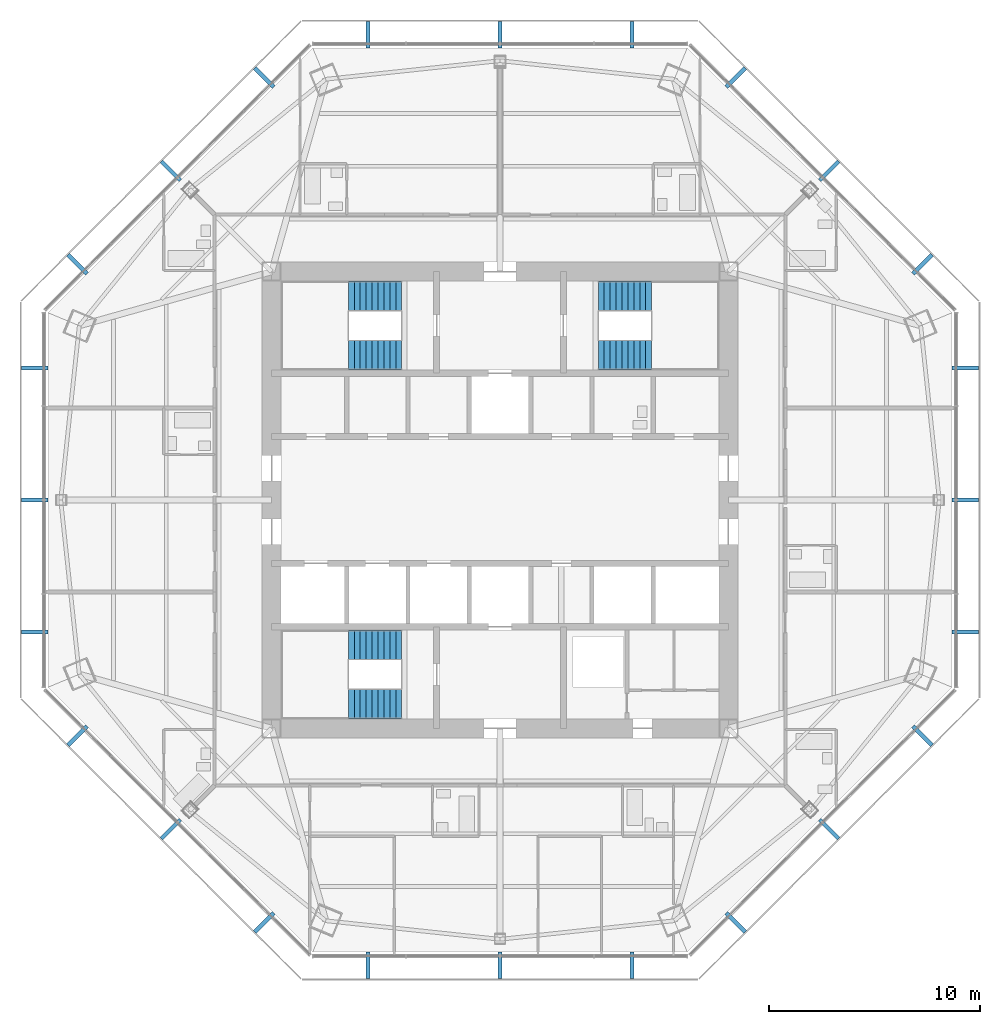
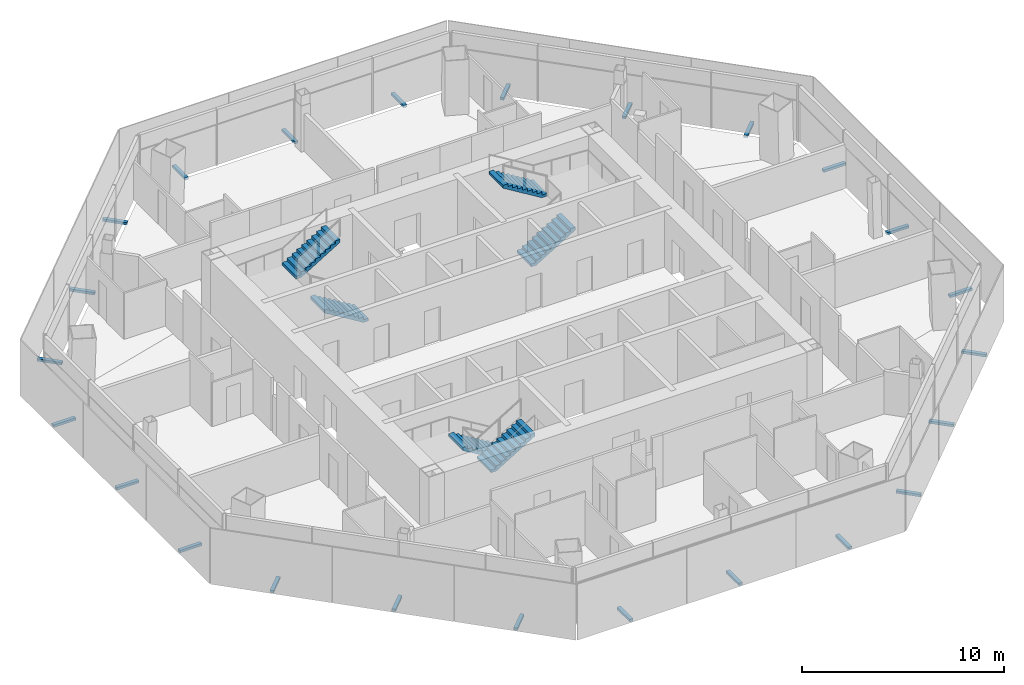
# One storey, part 12 of 15: 24 discrete accessories, 6 stair flights, 3 elements without a shape of their own.
"""IFC4 building model written with IfcOpenShell, lengths in metres."""

import ifcopenshell
import ifcopenshell.guid

model = None  # the IFC model being written
_history = None  # IfcOwnerHistory: only IFC2X3 demands one
_inside = {}  # id of a spatial element -> (the spatial element, [elements in it])
_under = {}  # id of a project, library or spatial element -> (it, [spatial elements below it])
_declared = {}  # id of a project -> (the project, [libraries it declares])
_typed = {}  # id of a type object -> (the type object, [elements of that type])
_made_of = {}  # id of a material, layer set ... -> (it, [elements and type objects made of it])


def new_model(schema):
    """Start an empty IFC model of exactly this schema.

    Asked for "IFC4X3", IfcOpenShell would pick the latest addendum, in which some entities
    have other attributes; the version numbers below select the first issue.
    IFC2X3 requires an IfcOwnerHistory on every rooted entity: one is made here for all.
    """
    global model, _history
    if schema == "IFC4X3":
        model = ifcopenshell.file(schema_version=(4, 3, 0, 0))
    else:
        model = ifcopenshell.file(schema=schema)
    _inside.clear()
    _under.clear()
    _declared.clear()
    _typed.clear()
    _made_of.clear()
    _history = None
    if model.schema == "IFC2X3":
        org = make("IfcOrganization", Name="unknown")
        user = make(
            "IfcPersonAndOrganization",
            ThePerson=make("IfcPerson", FamilyName="unknown"),
            TheOrganization=org,
        )
        app = make(
            "IfcApplication",
            ApplicationDeveloper=org,
            Version="unknown",
            ApplicationFullName="unknown",
            ApplicationIdentifier="unknown",
        )
        _history = make(
            "IfcOwnerHistory",
            OwningUser=user,
            OwningApplication=app,
            ChangeAction="ADDED",
            CreationDate=0,
        )
    return model


def make(cls, **values):
    """One entity of the class cls with the attributes given. An attribute that is None is left unset."""
    return model.create_entity(
        cls, **{name: value for name, value in values.items() if value is not None}
    )


def rooted(cls, **values):
    """An entity with a GlobalId (a new one), such as an element, a storey or a relation."""
    return make(cls, GlobalId=ifcopenshell.guid.new(), OwnerHistory=_history, **values)


def si_unit(unit_type, name, prefix=None):
    """IfcSIUnit, for example si_unit("LENGTHUNIT", "METRE", prefix="MILLI")."""
    return make("IfcSIUnit", UnitType=unit_type, Prefix=prefix, Name=name)


def assignment(units):
    """IfcUnitAssignment: the units of a project."""
    return None if units is None else make("IfcUnitAssignment", Units=units)


def point(xyz):
    """IfcCartesianPoint."""
    return None if xyz is None else make("IfcCartesianPoint", Coordinates=xyz)


def direction(xyz):
    """IfcDirection."""
    return None if xyz is None else make("IfcDirection", DirectionRatios=xyz)


def frame(location, z_axis=None, x_axis=None):
    """IfcAxis2Placement3D, a coordinate frame: its origin and axes. An axis left out is left unset."""
    return make(
        "IfcAxis2Placement3D",
        Location=point(location),
        Axis=direction(z_axis),
        RefDirection=direction(x_axis),
    )


def frame_2d(location, x_axis=None):
    """IfcAxis2Placement2D, a coordinate frame in the plane: its origin and x axis."""
    return make(
        "IfcAxis2Placement2D", Location=point(location), RefDirection=direction(x_axis)
    )


def origin():
    """The frame at (0, 0, 0) with its axes left unset."""
    return frame((0.0, 0.0, 0.0))


def origin_2d():
    """The frame at (0, 0) in the plane with its x axis left unset."""
    return frame_2d((0.0, 0.0))


def place(relative_to, where):
    """IfcLocalPlacement: puts the frame where relative to a parent placement (None: the world)."""
    return make(
        "IfcLocalPlacement", PlacementRelTo=relative_to, RelativePlacement=where
    )


def context(
    kind, dimensions, precision=None, world=None, true_north=None, identifier=None
):
    """IfcGeometricRepresentationContext, for example the 3D "Model" context."""
    return make(
        "IfcGeometricRepresentationContext",
        ContextIdentifier=identifier,
        ContextType=kind,
        CoordinateSpaceDimension=dimensions,
        Precision=precision,
        WorldCoordinateSystem=world,
        TrueNorth=true_north,
    )


def subcontext(parent, identifier, kind, view, scale=None):
    """IfcGeometricRepresentationSubContext, for example "Body" below "Model"."""
    return make(
        "IfcGeometricRepresentationSubContext",
        ContextIdentifier=identifier,
        ContextType=kind,
        ParentContext=parent,
        TargetScale=scale,
        TargetView=view,
    )


def project(units=None, contexts=None):
    """IfcProject with its units and contexts."""
    return rooted(
        "IfcProject",
        Name="project",
        RepresentationContexts=contexts,
        UnitsInContext=assignment(units),
    )


def spatial(cls, under=None, at=None, **own):
    """A site, building, storey or space (cls), placed at a placement, below another one or the project."""
    s = rooted(cls, ObjectPlacement=at, **own)
    if under is not None:
        _under.setdefault(under.id(), (under, []))[1].append(s)
    return s


def polyline(points):
    """IfcPolyline through the points."""
    return make("IfcPolyline", Points=[point(p) for p in points])


def profile(cls, at=None, kind="AREA", **sizes):
    """A parametric profile (cls). Its sizes go by their IFC names, for example OverallWidth=200.0."""
    return make(cls, ProfileType=kind, Position=at, **sizes)


def rectangle(**sizes):
    """IfcRectangleProfileDef."""
    return profile("IfcRectangleProfileDef", **sizes)


def outline(outer, holes=None, kind="AREA"):
    """IfcArbitraryClosedProfileDef: a profile drawn as a closed curve; with holes, ...WithVoids."""
    if holes is None:
        return make("IfcArbitraryClosedProfileDef", ProfileType=kind, OuterCurve=outer)
    return make(
        "IfcArbitraryProfileDefWithVoids",
        ProfileType=kind,
        OuterCurve=outer,
        InnerCurves=holes,
    )


def extrude(swept, where, along, depth):
    """IfcExtrudedAreaSolid: the profile swept, set in the frame where, extruded along a direction by depth."""
    return make(
        "IfcExtrudedAreaSolid",
        SweptArea=swept,
        Position=where,
        ExtrudedDirection=direction(along),
        Depth=depth,
    )


def shape(context_of_items, identifier, shape_type, items):
    """IfcShapeRepresentation: the items that make up one representation, for example the "Body"."""
    return make(
        "IfcShapeRepresentation",
        ContextOfItems=context_of_items,
        RepresentationIdentifier=identifier,
        RepresentationType=shape_type,
        Items=items,
    )


def source(mapping_origin, context_of_items, identifier, shape_type, items):
    """IfcRepresentationMap: a shape defined once, which mapped items show again and again."""
    return make(
        "IfcRepresentationMap",
        MappingOrigin=mapping_origin,
        MappedRepresentation=shape(context_of_items, identifier, shape_type, items),
    )


def transform(
    local_origin,
    x_axis=None,
    y_axis=None,
    z_axis=None,
    scale=None,
    scale2=None,
    scale3=None,
    uniform=True,
):
    """IfcCartesianTransformationOperator3D, or its non-uniform kind. x_axis, y_axis, z_axis: its Axis1, 2, 3."""
    if uniform:
        return make(
            "IfcCartesianTransformationOperator3D",
            Axis1=direction(x_axis),
            Axis2=direction(y_axis),
            LocalOrigin=point(local_origin),
            Scale=scale,
            Axis3=direction(z_axis),
        )
    return make(
        "IfcCartesianTransformationOperator3DnonUniform",
        Axis1=direction(x_axis),
        Axis2=direction(y_axis),
        LocalOrigin=point(local_origin),
        Scale=scale,
        Axis3=direction(z_axis),
        Scale2=scale2,
        Scale3=scale3,
    )


def mapped(mapping_source, mapping_target):
    """IfcMappedItem: shows the shape of a source again, moved by a transform."""
    return make(
        "IfcMappedItem", MappingSource=mapping_source, MappingTarget=mapping_target
    )


def material(Name=None, Category=None):
    """IfcMaterial."""
    return make("IfcMaterial", Name=Name, Category=Category)


def made_of(thing, what):
    """Note that an element or type object is made of a material, layer set ...; save() writes the relation."""
    if what is not None:
        _made_of.setdefault(what.id(), (what, []))[1].append(thing)
    return thing


def type_object(cls, material=None, **own):
    """A type object (cls), such as IfcWallType, which elements share."""
    return made_of(rooted(cls, **own), material)


def type_shapes(of_type, sources):
    """Give a type object the sources (RepresentationMaps) that its elements show as mapped items."""
    of_type.RepresentationMaps = sources


def element(
    cls,
    number,
    at=None,
    inside=None,
    cuts=None,
    type_object=None,
    material=None,
    context=None,
    identifier="Body",
    shape_type=None,
    held_by="IfcProductDefinitionShape",
    body=None,
    shapes=None,
    **own,
):
    """One element of the class cls, such as IfcWall. Its Tag is "e" and its number.

    at: its placement. inside: the storey or other place that contains it. cuts: it is an
    opening in that element (IfcRelVoidsElement). A single representation is given by context,
    identifier, shape_type and body (its items); several are given by shapes. held_by: the class
    of the entity that holds the representations. save() writes the other relations.
    """
    e = rooted(cls, Tag="e%d" % number, ObjectPlacement=at, **own)
    if body is not None:
        shapes = [shape(context, identifier, shape_type, body)]
    if shapes is not None:
        e.Representation = make(held_by, Representations=shapes)
    if inside is not None:
        _inside.setdefault(inside.id(), (inside, []))[1].append(e)
    if cuts is not None:
        rooted(
            "IfcRelVoidsElement", RelatingBuildingElement=cuts, RelatedOpeningElement=e
        )
    if type_object is not None:
        _typed.setdefault(type_object.id(), (type_object, []))[1].append(e)
    return made_of(e, material)


def aggregate(whole, parts):
    """IfcRelAggregates: a whole, such as a stair, and the parts it consists of."""
    return rooted("IfcRelAggregates", RelatingObject=whole, RelatedObjects=parts)


def save(model, path):
    """Write the relations noted so far, then the file.

    IfcRelAggregates (storeys below a building ...), IfcRelContainedInSpatialStructure (elements
    in a storey), IfcRelDefinesByType, IfcRelAssociatesMaterial and IfcRelDeclares: one each for
    every whole, place, type object, material and project.
    """
    for whole, parts in _under.values():
        aggregate(whole, parts)
    for where, things in _inside.values():
        rooted(
            "IfcRelContainedInSpatialStructure",
            RelatedElements=things,
            RelatingStructure=where,
        )
    for kind, things in _typed.values():
        rooted("IfcRelDefinesByType", RelatedObjects=things, RelatingType=kind)
    for what, things in _made_of.values():
        rooted("IfcRelAssociatesMaterial", RelatedObjects=things, RelatingMaterial=what)
    for by, libraries in _declared.values():
        rooted("IfcRelDeclares", RelatingContext=by, RelatedDefinitions=libraries)
    model.write(path)


model = new_model("IFC4")

# Units and contexts
model_context = context("Model", 3, precision=1e-05, world=origin(), true_north=direction((0.0, 1.0)))
body_context = subcontext(model_context, "Body", "Model", "MODEL_VIEW")
ifc_project = project(units=[si_unit("LENGTHUNIT", "METRE"), si_unit("AREAUNIT", "SQUARE_METRE"), si_unit("VOLUMEUNIT", "CUBIC_METRE"), si_unit("PLANEANGLEUNIT", "RADIAN"), si_unit("MASSUNIT", "GRAM", prefix="KILO")], contexts=[model_context])

# Site, building, storey
site_placement = place(None, origin())
site = spatial("IfcSite", under=ifc_project, at=site_placement, CompositionType="ELEMENT")
building_placement = place(site_placement, origin())
building = spatial("IfcBuilding", under=site, at=building_placement, Name="Mashrafa Tower", CompositionType="ELEMENT")
storey_placement = place(building_placement, frame((0.0, 0.0, 227.800048828125)))
storey = spatial("IfcBuildingStorey", under=building, at=storey_placement, Name="L53", CompositionType="ELEMENT", Elevation=227.800048828125)

# Stair, stair flights
ifc_material_1 = material(Name="Exit stair 1400")
stair_type = type_object("IfcStairType", Name="Exit stair 1400", PredefinedType="HALF_TURN_STAIR", material=ifc_material_1)
stair_1_placement = place(storey_placement, origin())
stair_1 = element("IfcStair", 1, at=stair_1_placement, inside=storey, type_object=stair_type, Name="Stair S1 L53", PredefinedType="HALF_TURN_STAIR")
ifc_material_2 = material(Name="Concrete C32/40", Category="concrete")
stair_flight_type = type_object("IfcStairFlightType", Name="Stair flight 1400", PredefinedType="STRAIGHT", material=ifc_material_2)
stair_flight_1_placement = place(storey_placement, frame((-4.64990234375, 6.85009765625, 0.0), z_axis=(0.0, 0.0, 1.0), x_axis=(-1.0, 0.0, 0.0)))
stair_flight_1 = element("IfcStairFlight", 2, at=stair_flight_1_placement, type_object=stair_flight_type, Name="S1 flight 1", NumberOfRisers=10, NumberOfTreads=9, PredefinedType="STRAIGHT", RiserHeight=0.17, TreadLength=0.28, context=body_context, shape_type="SweptSolid", body=[
    extrude(outline(polyline([(0.0, 0.0), (0.0, 0.169921875), (0.280029296875, 0.169921875), (0.280029296875, 0.340087890625), (0.56005859375, 0.340087890625), (0.56005859375, 0.510009765625), (0.840087890625, 0.510009765625), (0.840087890625, 0.679931640625), (1.1201171875, 0.679931640625), (1.1201171875, 0.85009765625), (1.39990234375, 0.85009765625), (1.39990234375, 1.02001953125), (1.679931640625, 1.02001953125), (1.679931640625, 1.18994140625), (1.9599609375, 1.18994140625), (1.9599609375, 1.360107421875), (2.239990234375, 1.360107421875), (2.239990234375, 1.530029296875), (2.52001953125, 1.530029296875), (2.52001953125, 1.699951171875), (2.52001953125, 1.354736328125), (0.288818359375, 0.0), (0.0, 0.0)])), frame((0.0, 0.699951171875, 0.0), z_axis=(0.0, -1.0, 0.0), x_axis=(1.0, 0.0, 0.0)), (0.0, 0.0, 1.0), 1.39990234375),
])
stair_flight_2_placement = place(storey_placement, frame((-7.169921875, 9.64990234375, 1.699951171875), z_axis=(0.0, 0.0, 1.0), x_axis=(1.0, 0.0, 0.0)))
stair_flight_2 = element("IfcStairFlight", 3, at=stair_flight_2_placement, type_object=stair_flight_type, Name="S1 flight 2", NumberOfRisers=10, NumberOfTreads=9, PredefinedType="STRAIGHT", RiserHeight=0.17, TreadLength=0.28, context=body_context, shape_type="SweptSolid", body=[
    extrude(outline(polyline([(0.0, 0.0), (0.0, 0.169921875), (0.280029296875, 0.169921875), (0.280029296875, 0.340087890625), (0.56005859375, 0.340087890625), (0.56005859375, 0.510009765625), (0.840087890625, 0.510009765625), (0.840087890625, 0.679931640625), (1.1201171875, 0.679931640625), (1.1201171875, 0.85009765625), (1.39990234375, 0.85009765625), (1.39990234375, 1.02001953125), (1.679931640625, 1.02001953125), (1.679931640625, 1.18994140625), (1.9599609375, 1.18994140625), (1.9599609375, 1.360107421875), (2.239990234375, 1.360107421875), (2.239990234375, 1.530029296875), (2.52001953125, 1.530029296875), (2.52001953125, 1.699951171875), (2.52001953125, 1.354736328125), (0.288818359375, 0.0), (0.0, 0.0)])), frame((0.0, 0.699951171875, 0.0), z_axis=(0.0, -1.0, 0.0), x_axis=(1.0, 0.0, 0.0)), (0.0, 0.0, 1.0), 1.39990234375),
])
aggregate(stair_1, [stair_flight_1, stair_flight_2])

stair_2_placement = place(storey_placement, origin())
stair_2 = element("IfcStair", 4, at=stair_2_placement, inside=storey, type_object=stair_type, Name="Stair S2 L53", PredefinedType="HALF_TURN_STAIR")
stair_flight_3_placement = place(storey_placement, frame((4.64990234375, 6.85009765625, 0.0), z_axis=(0.0, 0.0, 1.0), x_axis=(1.0, 0.0, 0.0)))
stair_flight_3 = element("IfcStairFlight", 5, at=stair_flight_3_placement, type_object=stair_flight_type, Name="S2 flight 1", NumberOfRisers=10, NumberOfTreads=9, PredefinedType="STRAIGHT", RiserHeight=0.17, TreadLength=0.28, context=body_context, shape_type="SweptSolid", body=[
    extrude(outline(polyline([(0.0, 0.0), (0.0, 0.169921875), (0.280029296875, 0.169921875), (0.280029296875, 0.340087890625), (0.56005859375, 0.340087890625), (0.56005859375, 0.510009765625), (0.840087890625, 0.510009765625), (0.840087890625, 0.679931640625), (1.1201171875, 0.679931640625), (1.1201171875, 0.85009765625), (1.39990234375, 0.85009765625), (1.39990234375, 1.02001953125), (1.679931640625, 1.02001953125), (1.679931640625, 1.18994140625), (1.9599609375, 1.18994140625), (1.9599609375, 1.360107421875), (2.239990234375, 1.360107421875), (2.239990234375, 1.530029296875), (2.52001953125, 1.530029296875), (2.52001953125, 1.699951171875), (2.52001953125, 1.354736328125), (0.288818359375, 0.0), (0.0, 0.0)])), frame((0.0, 0.699951171875, 0.0), z_axis=(0.0, -1.0, 0.0), x_axis=(1.0, 0.0, 0.0)), (0.0, 0.0, 1.0), 1.39990234375),
])
stair_flight_4_placement = place(storey_placement, frame((7.169921875, 9.64990234375, 1.699951171875), z_axis=(0.0, 0.0, 1.0), x_axis=(-1.0, 0.0, 0.0)))
stair_flight_4 = element("IfcStairFlight", 6, at=stair_flight_4_placement, type_object=stair_flight_type, Name="S2 flight 2", NumberOfRisers=10, NumberOfTreads=9, PredefinedType="STRAIGHT", RiserHeight=0.17, TreadLength=0.28, context=body_context, shape_type="SweptSolid", body=[
    extrude(outline(polyline([(0.0, 0.0), (0.0, 0.169921875), (0.280029296875, 0.169921875), (0.280029296875, 0.340087890625), (0.56005859375, 0.340087890625), (0.56005859375, 0.510009765625), (0.840087890625, 0.510009765625), (0.840087890625, 0.679931640625), (1.1201171875, 0.679931640625), (1.1201171875, 0.85009765625), (1.39990234375, 0.85009765625), (1.39990234375, 1.02001953125), (1.679931640625, 1.02001953125), (1.679931640625, 1.18994140625), (1.9599609375, 1.18994140625), (1.9599609375, 1.360107421875), (2.239990234375, 1.360107421875), (2.239990234375, 1.530029296875), (2.52001953125, 1.530029296875), (2.52001953125, 1.699951171875), (2.52001953125, 1.354736328125), (0.288818359375, 0.0), (0.0, 0.0)])), frame((0.0, 0.699951171875, 0.0), z_axis=(0.0, -1.0, 0.0), x_axis=(1.0, 0.0, 0.0)), (0.0, 0.0, 1.0), 1.39990234375),
])
aggregate(stair_2, [stair_flight_3, stair_flight_4])

stair_3_placement = place(storey_placement, origin())
stair_3 = element("IfcStair", 7, at=stair_3_placement, inside=storey, type_object=stair_type, Name="Stair S3 L53", PredefinedType="HALF_TURN_STAIR")
stair_flight_5_placement = place(storey_placement, frame((-4.64990234375, -6.85009765625, 0.0), z_axis=(0.0, 0.0, 1.0), x_axis=(-1.0, 0.0, 0.0)))
stair_flight_5 = element("IfcStairFlight", 8, at=stair_flight_5_placement, type_object=stair_flight_type, Name="S3 flight 1", NumberOfRisers=10, NumberOfTreads=9, PredefinedType="STRAIGHT", RiserHeight=0.17, TreadLength=0.28, context=body_context, shape_type="SweptSolid", body=[
    extrude(outline(polyline([(0.0, 0.0), (0.0, 0.169921875), (0.280029296875, 0.169921875), (0.280029296875, 0.340087890625), (0.56005859375, 0.340087890625), (0.56005859375, 0.510009765625), (0.840087890625, 0.510009765625), (0.840087890625, 0.679931640625), (1.1201171875, 0.679931640625), (1.1201171875, 0.85009765625), (1.39990234375, 0.85009765625), (1.39990234375, 1.02001953125), (1.679931640625, 1.02001953125), (1.679931640625, 1.18994140625), (1.9599609375, 1.18994140625), (1.9599609375, 1.360107421875), (2.239990234375, 1.360107421875), (2.239990234375, 1.530029296875), (2.52001953125, 1.530029296875), (2.52001953125, 1.699951171875), (2.52001953125, 1.354736328125), (0.288818359375, 0.0), (0.0, 0.0)])), frame((0.0, 0.699951171875, 0.0), z_axis=(0.0, -1.0, 0.0), x_axis=(1.0, 0.0, 0.0)), (0.0, 0.0, 1.0), 1.39990234375),
])
stair_flight_6_placement = place(storey_placement, frame((-7.169921875, -9.64990234375, 1.699951171875), z_axis=(0.0, 0.0, 1.0), x_axis=(1.0, 0.0, 0.0)))
stair_flight_6 = element("IfcStairFlight", 9, at=stair_flight_6_placement, type_object=stair_flight_type, Name="S3 flight 2", NumberOfRisers=10, NumberOfTreads=9, PredefinedType="STRAIGHT", RiserHeight=0.17, TreadLength=0.28, context=body_context, shape_type="SweptSolid", body=[
    extrude(outline(polyline([(0.0, 0.0), (0.0, 0.169921875), (0.280029296875, 0.169921875), (0.280029296875, 0.340087890625), (0.56005859375, 0.340087890625), (0.56005859375, 0.510009765625), (0.840087890625, 0.510009765625), (0.840087890625, 0.679931640625), (1.1201171875, 0.679931640625), (1.1201171875, 0.85009765625), (1.39990234375, 0.85009765625), (1.39990234375, 1.02001953125), (1.679931640625, 1.02001953125), (1.679931640625, 1.18994140625), (1.9599609375, 1.18994140625), (1.9599609375, 1.360107421875), (2.239990234375, 1.360107421875), (2.239990234375, 1.530029296875), (2.52001953125, 1.530029296875), (2.52001953125, 1.699951171875), (2.52001953125, 1.354736328125), (0.288818359375, 0.0), (0.0, 0.0)])), frame((0.0, 0.699951171875, 0.0), z_axis=(0.0, -1.0, 0.0), x_axis=(1.0, 0.0, 0.0)), (0.0, 0.0, 1.0), 1.39990234375),
])
aggregate(stair_3, [stair_flight_5, stair_flight_6])

# Discrete accessories
ifc_material_3 = material(Name="Stainless steel screen bracket", Category="steel")
discrete_accessory_type = type_object("IfcDiscreteAccessoryType", Name="Screen support bracket 200 x 150", PredefinedType="BRACKET", material=ifc_material_3)
shared_shape = source(origin(), body_context, "Body", "SweptSolid", [
    extrude(rectangle(XDim=0.199951171875, YDim=1.27001953125, at=origin_2d()), origin(), (0.0, 0.0, 1.0), 0.14990234375),
])
type_shapes(discrete_accessory_type, [shared_shape])
for number, where, z_axis, x_axis, name in (
    (10, (22.005615234375, -6.245361328125, -0.14990234375), (0.0, 0.0, 1.0), (0.0, 1.0, 0.0), "Screen support bracket L53 east 1"),
    (11, (22.005615234375, 0.0, -0.14990234375), (0.0, 0.0, 1.0), (0.0, 1.0, 0.0), "Screen support bracket L53 east 2"),
    (12, (22.005615234375, 6.245361328125, -0.14990234375), (0.0, 0.0, 1.0), (0.0, 1.0, 0.0), "Screen support bracket L53 east 3"),
    (13, (19.976318359375, 11.14404296875, -0.14990234375), (0.0, 0.0, 1.0), (-0.707106781187, 0.707106781187, 0.0), "Screen support bracket L53 north-east 1"),
    (14, (15.560302734375, 15.560302734375, -0.14990234375), (0.0, 0.0, 1.0), (-0.707106781187, 0.707106781187, 0.0), "Screen support bracket L53 north-east 2"),
    (15, (11.14404296875, 19.976318359375, -0.14990234375), (0.0, 0.0, 1.0), (-0.707106781187, 0.707106781187, 0.0), "Screen support bracket L53 north-east 3"),
    (16, (6.245361328125, 22.005615234375, -0.14990234375), (0.0, 0.0, 1.0), (-1.0, 0.0, 0.0), "Screen support bracket L53 north 1"),
    (17, (0.0, 22.005615234375, -0.14990234375), (0.0, 0.0, 1.0), (-1.0, 0.0, 0.0), "Screen support bracket L53 north 2"),
    (18, (-6.245361328125, 22.005615234375, -0.14990234375), (0.0, 0.0, 1.0), (-1.0, 0.0, 0.0), "Screen support bracket L53 north 3"),
    (19, (-11.14404296875, 19.976318359375, -0.14990234375), (0.0, 0.0, 1.0), (-0.707106781187, -0.707106781187, 0.0), "Screen support bracket L53 north-west 1"),
    (20, (-15.560302734375, 15.560302734375, -0.14990234375), (0.0, 0.0, 1.0), (-0.707106781187, -0.707106781187, 0.0), "Screen support bracket L53 north-west 2"),
    (21, (-19.976318359375, 11.14404296875, -0.14990234375), (0.0, 0.0, 1.0), (-0.707106781187, -0.707106781187, 0.0), "Screen support bracket L53 north-west 3"),
    (22, (-22.005615234375, 6.245361328125, -0.14990234375), (0.0, 0.0, 1.0), (0.0, -1.0, 0.0), "Screen support bracket L53 west 1"),
    (23, (-22.005615234375, 0.0, -0.14990234375), (0.0, 0.0, 1.0), (0.0, -1.0, 0.0), "Screen support bracket L53 west 2"),
    (24, (-22.005615234375, -6.245361328125, -0.14990234375), (0.0, 0.0, 1.0), (0.0, -1.0, 0.0), "Screen support bracket L53 west 3"),
    (25, (-19.976318359375, -11.14404296875, -0.14990234375), (0.0, 0.0, 1.0), (0.707106781187, -0.707106781187, 0.0), "Screen support bracket L53 south-west 1"),
    (26, (-15.560302734375, -15.560302734375, -0.14990234375), (0.0, 0.0, 1.0), (0.707106781187, -0.707106781187, 0.0), "Screen support bracket L53 south-west 2"),
    (27, (-11.14404296875, -19.976318359375, -0.14990234375), (0.0, 0.0, 1.0), (0.707106781187, -0.707106781187, 0.0), "Screen support bracket L53 south-west 3"),
    (28, (-6.245361328125, -22.005615234375, -0.14990234375), (0.0, 0.0, 1.0), (1.0, 0.0, 0.0), "Screen support bracket L53 south 1"),
    (29, (0.0, -22.005615234375, -0.14990234375), (0.0, 0.0, 1.0), (1.0, 0.0, 0.0), "Screen support bracket L53 south 2"),
    (30, (6.245361328125, -22.005615234375, -0.14990234375), (0.0, 0.0, 1.0), (1.0, 0.0, 0.0), "Screen support bracket L53 south 3"),
    (31, (11.14404296875, -19.976318359375, -0.14990234375), (0.0, 0.0, 1.0), (0.707106781187, 0.707106781187, 0.0), "Screen support bracket L53 south-east 1"),
    (32, (15.560302734375, -15.560302734375, -0.14990234375), (0.0, 0.0, 1.0), (0.707106781187, 0.707106781187, 0.0), "Screen support bracket L53 south-east 2"),
    (33, (19.976318359375, -11.14404296875, -0.14990234375), (0.0, 0.0, 1.0), (0.707106781187, 0.707106781187, 0.0), "Screen support bracket L53 south-east 3"),
):
    element("IfcDiscreteAccessory", number, at=place(storey_placement, frame(where, z_axis=z_axis, x_axis=x_axis)), inside=storey, type_object=discrete_accessory_type, Name=name, PredefinedType="BRACKET", context=body_context, shape_type="MappedRepresentation", body=[
        mapped(shared_shape, transform((0.0, 0.0, 0.0))),
    ])

save(model, "model.ifc")
